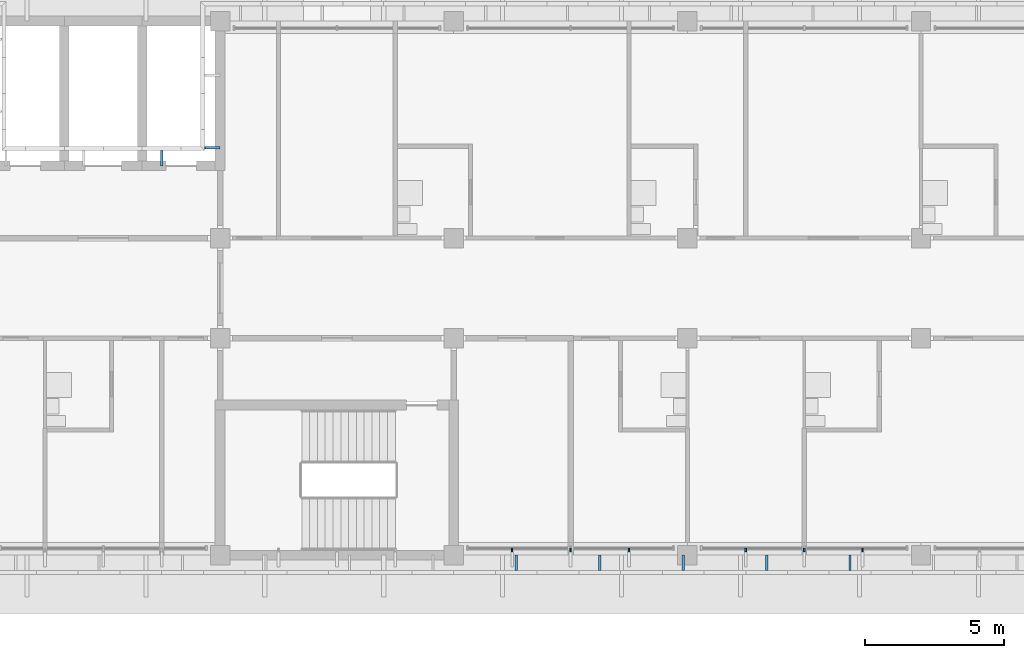
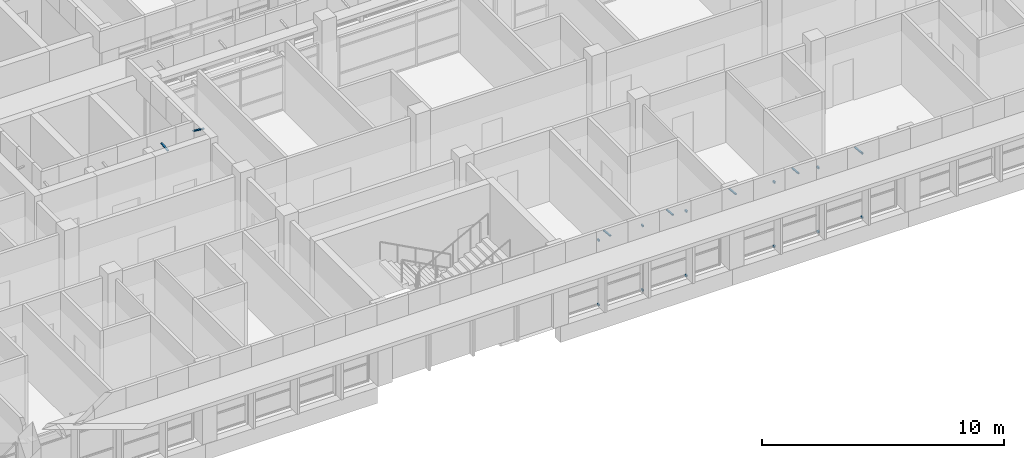
# One storey, part 46 of 71: 19 discrete accessories.
"""IFC4 building model written with IfcOpenShell, lengths in metres."""

from ifc_helpers import new_model, si_unit, direction, frame, origin, origin_2d, place, context, subcontext, project, spatial, rectangle, extrude, material, material_profile, profile_set, type_object, element, save


model = new_model("IFC4")

# Units and contexts
model_context = context("Model", 3, precision=1e-05, world=origin(), true_north=direction((0.0, 1.0)))
body_context = subcontext(model_context, "Body", "Model", "MODEL_VIEW")
ifc_project = project(units=[si_unit("LENGTHUNIT", "METRE"), si_unit("AREAUNIT", "SQUARE_METRE"), si_unit("VOLUMEUNIT", "CUBIC_METRE"), si_unit("PLANEANGLEUNIT", "RADIAN"), si_unit("MASSUNIT", "GRAM", prefix="KILO")], contexts=[model_context])

# Site, building, storey
site_placement = place(None, origin())
site = spatial("IfcSite", under=ifc_project, at=site_placement, CompositionType="ELEMENT")
building_placement = place(site_placement, origin())
building = spatial("IfcBuilding", under=site, at=building_placement, Name="Bougainvillea Quay General Hospital", CompositionType="ELEMENT")
storey_placement = place(building_placement, frame((0.0, 0.0, 24.89990234375)))
storey = spatial("IfcBuildingStorey", under=building, at=storey_placement, Name="L05", CompositionType="ELEMENT", Elevation=24.89990234375)

# Discrete accessories
ifc_material = material(Name="Stainless steel bracket, grade 316", Category="steel")
discrete_accessory_type_1 = type_object("IfcDiscreteAccessoryType", Name="Stainless steel fin arm 60x80", PredefinedType="BRACKET", material=ifc_material)
for number, where, z_axis, x_axis, name in (
    (1, (98.699951171875, 117.7900390625, 0.0), (0.0, 0.0, 1.0), (0.0, -1.0, 0.0), "Fin arm V5B L05 01.25B"),
    (2, (98.699951171875, 117.7900390625, 3.25), (0.0, 0.0, 1.0), (0.0, -1.0, 0.0), "Fin arm V5B L05 01.25T"),
    (3, (96.60009765625, 117.7900390625, 0.0), (0.0, 0.0, 1.0), (0.0, -1.0, 0.0), "Fin arm V5B L05 01.26B"),
    (4, (96.60009765625, 117.7900390625, 3.25), (0.0, 0.0, 1.0), (0.0, -1.0, 0.0), "Fin arm V5B L05 01.26T"),
    (5, (94.5, 117.7900390625, 0.0), (0.0, 0.0, 1.0), (0.0, -1.0, 0.0), "Fin arm V5B L05 01.27B"),
    (6, (94.5, 117.7900390625, 3.25), (0.0, 0.0, 1.0), (0.0, -1.0, 0.0), "Fin arm V5B L05 01.27T"),
    (7, (90.300048828125, 117.7900390625, 0.0), (0.0, 0.0, 1.0), (0.0, -1.0, 0.0), "Fin arm V5B L05 01.28B"),
    (8, (90.300048828125, 117.7900390625, 3.25), (0.0, 0.0, 1.0), (0.0, -1.0, 0.0), "Fin arm V5B L05 01.28T"),
    (9, (88.199951171875, 117.7900390625, 0.0), (0.0, 0.0, 1.0), (0.0, -1.0, 0.0), "Fin arm V5B L05 01.29B"),
    (10, (88.199951171875, 117.7900390625, 3.25), (0.0, 0.0, 1.0), (0.0, -1.0, 0.0), "Fin arm V5B L05 01.29T"),
    (11, (86.10009765625, 117.7900390625, 0.0), (0.0, 0.0, 1.0), (0.0, -1.0, 0.0), "Fin arm V5B L05 01.30B"),
    (12, (86.10009765625, 117.7900390625, 3.25), (0.0, 0.0, 1.0), (0.0, -1.0, 0.0), "Fin arm V5B L05 01.30T"),
):
    element("IfcDiscreteAccessory", number, at=place(storey_placement, frame(where, z_axis=z_axis, x_axis=x_axis)), inside=storey, type_object=discrete_accessory_type_1, Name=name, PredefinedType="BRACKET", context=body_context, shape_type="SweptSolid", body=[
        extrude(rectangle(XDim=0.1201171875, YDim=0.06005859375, at=origin_2d()), origin(), (0.0, 0.0, 1.0), 0.080078125),
    ])
ifc_material_profile = material_profile(ifc_material, rectangle(XDim=0.080078125, YDim=0.050048828125, at=origin_2d()))
ifc_profile_set = profile_set([ifc_material_profile], Name="Stainless steel bracket, grade 316")
discrete_accessory_type_2 = type_object("IfcDiscreteAccessoryType", Name="Stainless steel stand-off bracket 80x50", PredefinedType="BRACKET", material=ifc_profile_set)
for number, where, z_axis, x_axis, name in (
    (13, (86.25, 117.60009765625, 3.840087890625), (0.0, -0.994091793559, 0.108542645901), (1.0, 0.0, 0.0), "Fascia bracket e0 43"),
    (14, (89.25, 117.60009765625, 3.840087890625), (0.0, -0.994091793559, 0.108542645901), (1.0, 0.0, 0.0), "Fascia bracket e0 45"),
    (15, (92.25, 117.60009765625, 3.840087890625), (0.0, -0.994091793559, 0.108542645901), (1.0, 0.0, 0.0), "Fascia bracket e0 47"),
    (16, (95.25, 117.60009765625, 3.840087890625), (0.0, -0.994091793559, 0.108542645901), (1.0, 0.0, 0.0), "Fascia bracket e0 49"),
    (17, (98.25, 117.60009765625, 3.840087890625), (0.0, -0.994091793559, 0.108542645901), (1.0, 0.0, 0.0), "Fascia bracket e0 51"),
    (18, (75.60009765625, 132.25, 3.840087890625), (-0.994091793559, 0.0, 0.108542645901), (0.0, -1.0, 0.0), "Fascia bracket e0 185"),
):
    element("IfcDiscreteAccessory", number, at=place(storey_placement, frame(where, z_axis=z_axis, x_axis=x_axis)), inside=storey, type_object=discrete_accessory_type_2, Name=name, PredefinedType="BRACKET", context=body_context, shape_type="SweptSolid", body=[
        extrude(rectangle(XDim=0.080078125, YDim=0.050048828125, at=origin_2d()), origin(), (0.0, 0.0, 1.0), 0.55322265625),
    ])
discrete_accessory_placement = place(storey_placement, frame((73.5, 131.60009765625, 3.840087890625), z_axis=(0.0, 0.994086591779, 0.108590276011), x_axis=(-1.0, 0.0, 0.0)))
element("IfcDiscreteAccessory", 19, at=discrete_accessory_placement, inside=storey, type_object=discrete_accessory_type_2, Name="Fascia bracket e0 187", PredefinedType="BRACKET", context=body_context, shape_type="SweptSolid", body=[
    extrude(rectangle(XDim=0.080078125, YDim=0.050048828125, at=origin_2d()), origin(), (0.0, 0.0, 1.0), 0.552978515625),
])

save(model, "model.ifc")
